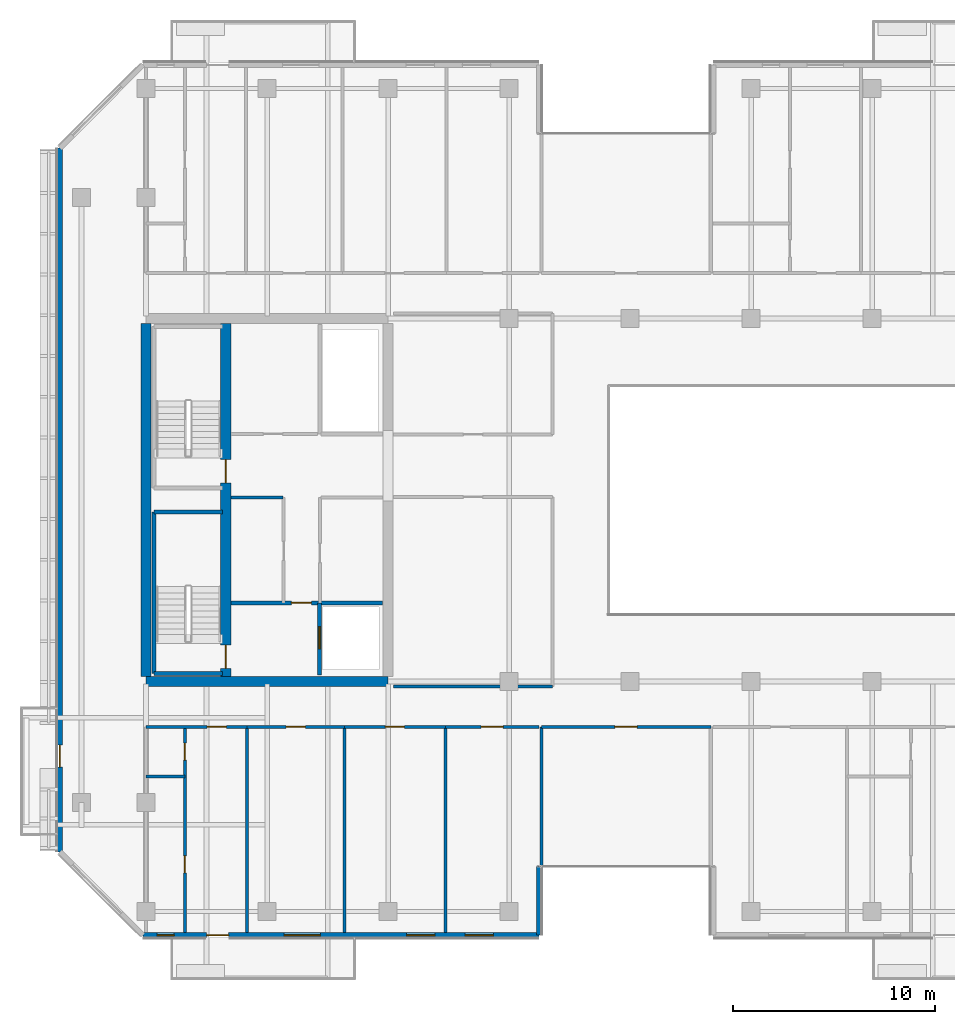
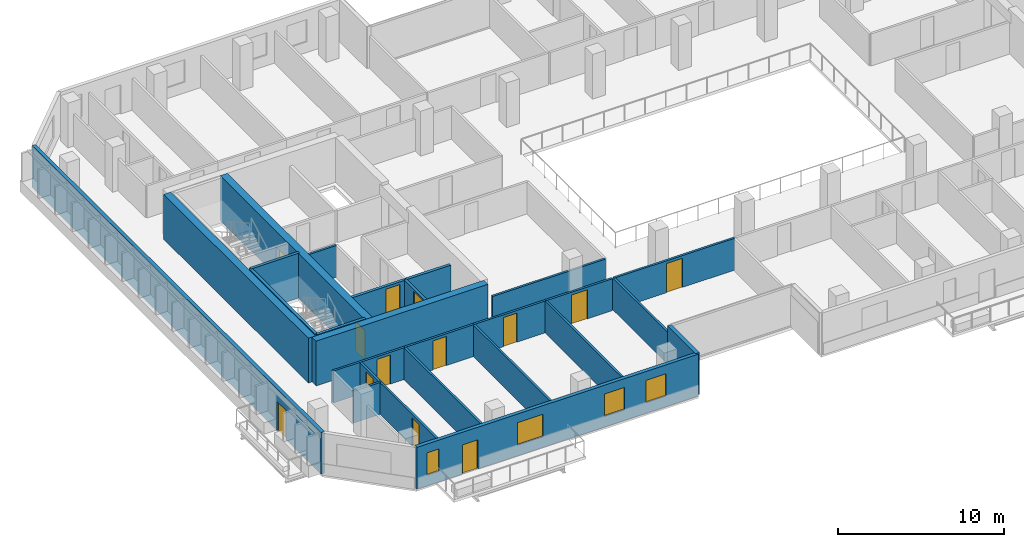
# One storey, part 9 of 19: 24 walls, 13 doors, 4 windows, 17 openings.
"""IFC4 building model written with IfcOpenShell, lengths in metres."""

from ifc_helpers import new_model, si_unit, direction, frame, frame_2d, origin, place, context, subcontext, project, spatial, rectangle, extrude, material, layer, layer_set, type_object, element, fill, save


model = new_model("IFC4")

# Units and contexts
model_context = context("Model", 3, precision=1e-05, world=origin(), true_north=direction((0.0, 1.0)))
body_context = subcontext(model_context, "Body", "Model", "MODEL_VIEW")
ifc_project = project(units=[si_unit("LENGTHUNIT", "METRE"), si_unit("AREAUNIT", "SQUARE_METRE"), si_unit("VOLUMEUNIT", "CUBIC_METRE"), si_unit("PLANEANGLEUNIT", "RADIAN"), si_unit("MASSUNIT", "GRAM", prefix="KILO")], contexts=[model_context])

# Site, building, storey
site_placement = place(None, origin())
site = spatial("IfcSite", under=ifc_project, at=site_placement, CompositionType="ELEMENT")
building_placement = place(site_placement, origin())
building = spatial("IfcBuilding", under=site, at=building_placement, Name="Tanjung Sevakor Pilgrim Tower", CompositionType="ELEMENT")
storey_placement = place(building_placement, frame((0.0, 0.0, 135.300048828125)))
storey = spatial("IfcBuildingStorey", under=building, at=storey_placement, Name="L37", CompositionType="ELEMENT", Elevation=135.300048828125)

# Walls
ifc_material_1 = material(Name="Concrete C60/75", Category="concrete")
ifc_layer_1 = layer(ifc_material_1, 0.5)
ifc_layer_set_1 = layer_set([ifc_layer_1], Name="WALL-CW-500")
wall_type_1 = type_object("IfcWallType", Name="WALL-CW-500", PredefinedType="SHEAR", material=ifc_layer_set_1)
wall_1_placement = place(storey_placement, frame((24.0, 24.60009765625, 0.0), z_axis=(0.0, 0.0, 1.0), x_axis=(1.0, 0.0, 0.0)))
element("IfcWall", 1, at=wall_1_placement, inside=storey, type_object=wall_type_1, Name="L37 W Core South Shear Wall", PredefinedType="SHEAR", context=body_context, shape_type="SweptSolid", body=[
    extrude(rectangle(XDim=12.0, YDim=0.5, at=frame_2d((6.0, 0.0))), origin(), (0.0, 0.0, 1.0), 3.300048828125),
])
wall_2_placement = place(storey_placement, frame((24.0, 24.85009765625, 0.0), z_axis=(0.0, 0.0, 1.0), x_axis=(0.0, 1.0, 0.0)))
element("IfcWall", 2, at=wall_2_placement, inside=storey, type_object=wall_type_1, Name="L37 W Core Outer Shear Wall", PredefinedType="SHEAR", context=body_context, shape_type="SweptSolid", body=[
    extrude(rectangle(XDim=17.5, YDim=0.5, at=frame_2d((8.75, 0.0))), origin(), (0.0, 0.0, 1.0), 3.300048828125),
])

# Wall, openings, doors
wall_3_placement = place(storey_placement, frame((27.949951171875, 24.85009765625, 0.0), z_axis=(0.0, 0.0, 1.0), x_axis=(0.0, 1.0, 0.0)))
wall_3 = element("IfcWall", 3, at=wall_3_placement, inside=storey, type_object=wall_type_1, Name="L37 W Core Stair Spine Wall", PredefinedType="SHEAR", context=body_context, shape_type="SweptSolid", body=[
    extrude(rectangle(XDim=17.5, YDim=0.5, at=frame_2d((8.75, 0.0))), origin(), (0.0, 0.0, 1.0), 3.300048828125),
])
opening_1_placement = place(wall_3_placement, frame((0.39990234375, 0.0, 0.0)))
opening_1 = element("IfcOpeningElement", 4, at=opening_1_placement, cuts=wall_3, Name="Opening ID-ST1", PredefinedType="OPENING", context=body_context, shape_type="SweptSolid", body=[
    extrude(rectangle(XDim=1.14990234375, YDim=2.14990234375, at=frame_2d((0.574951171875, 1.074951171875))), frame((0.0, 0.260009765625, 0.0), z_axis=(0.0, -1.0, 0.0), x_axis=(1.0, 0.0, 0.0)), (0.0, 0.0, 1.0), 0.52001953125),
])
opening_2_placement = place(wall_3_placement, frame((9.60009765625, 0.0, 0.0)))
opening_2 = element("IfcOpeningElement", 5, at=opening_2_placement, cuts=wall_3, Name="Opening ID-ST1", PredefinedType="OPENING", context=body_context, shape_type="SweptSolid", body=[
    extrude(rectangle(XDim=1.14990234375, YDim=2.14990234375, at=frame_2d((0.574951171875, 1.074951171875))), frame((0.0, 0.260009765625, 0.0), z_axis=(0.0, -1.0, 0.0), x_axis=(1.0, 0.0, 0.0)), (0.0, 0.0, 1.0), 0.52001953125),
])
ifc_material_2 = material(Name="Fire-Rated Steel S355J2", Category="steel")
door_type_1 = type_object("IfcDoorType", Name="DT-FIRE-1150", OperationType="NOTDEFINED", PredefinedType="DOOR", material=ifc_material_2)
door_1_placement = place(opening_1_placement, origin())
door_1 = element("IfcDoor", 6, at=door_1_placement, inside=storey, type_object=door_type_1, Name="L37 TS-W1 Stair Fire Door", OperationType="SINGLE_SWING_LEFT", OverallHeight=2.14990234375, OverallWidth=1.14990234375, PredefinedType="DOOR", context=body_context, shape_type="SweptSolid", body=[
    extrude(rectangle(XDim=1.14990234375, YDim=2.14990234375, at=frame_2d((0.574951171875, 1.074951171875))), frame((0.0, 0.02490234375, 0.0), z_axis=(0.0, -1.0, 0.0), x_axis=(1.0, 0.0, 0.0)), (0.0, 0.0, 1.0), 0.050048828125),
])
fill(opening_1, door_1)
door_2_placement = place(opening_2_placement, origin())
door_2 = element("IfcDoor", 7, at=door_2_placement, inside=storey, type_object=door_type_1, Name="L37 TS-W2 Stair Fire Door", OperationType="SINGLE_SWING_RIGHT", OverallHeight=2.14990234375, OverallWidth=1.14990234375, PredefinedType="DOOR", context=body_context, shape_type="SweptSolid", body=[
    extrude(rectangle(XDim=1.14990234375, YDim=2.14990234375, at=frame_2d((0.574951171875, 1.074951171875))), frame((0.0, 0.02490234375, 0.0), z_axis=(0.0, -1.0, 0.0), x_axis=(1.0, 0.0, 0.0)), (0.0, 0.0, 1.0), 0.050048828125),
])
fill(opening_2, door_2)

# Walls
ifc_material_3 = material(Name="Concrete C40/50", Category="concrete")
ifc_layer_2 = layer(ifc_material_3, 0.14990234375)
ifc_layer_set_2 = layer_set([ifc_layer_2], Name="WT-COMP-150")
wall_type_2 = type_object("IfcWallType", Name="WT-COMP-150", PredefinedType="SOLIDWALL", material=ifc_layer_set_2)
wall_4_placement = place(storey_placement, frame((28.219970703125, 33.719970703125, 0.0), z_axis=(0.0, 0.0, 1.0), x_axis=(1.0, 0.0, 0.0)))
element("IfcWall", 8, at=wall_4_placement, inside=storey, type_object=wall_type_2, Name="L37 Partition IW-L37-003", PredefinedType="SOLIDWALL", context=body_context, shape_type="SweptSolid", body=[
    extrude(rectangle(XDim=2.580078125, YDim=0.14990234375, at=frame_2d((1.2900390625, 0.0))), origin(), (0.0, 0.0, 1.0), 2.35009765625),
])
wall_5_placement = place(storey_placement, frame((36.27001953125, 24.35009765625, 0.0), z_axis=(0.0, 0.0, 1.0), x_axis=(1.0, 0.0, 0.0)))
element("IfcWall", 9, at=wall_5_placement, inside=storey, type_object=wall_type_2, Name="L37 Partition IW-L37-019", PredefinedType="SOLIDWALL", context=body_context, shape_type="SweptSolid", body=[
    extrude(rectangle(XDim=7.8798828125, YDim=0.14990234375, at=frame_2d((3.93994140625, 0.0))), origin(), (0.0, 0.0, 1.0), 2.35009765625),
])

# Wall, opening, door
wall_6_placement = place(storey_placement, frame((43.60009765625, 22.35009765625, 0.0), z_axis=(0.0, 0.0, 1.0), x_axis=(1.0, 0.0, 0.0)))
wall_6 = element("IfcWall", 10, at=wall_6_placement, inside=storey, type_object=wall_type_2, Name="L37 Partition IW-L37-031", PredefinedType="SOLIDWALL", context=body_context, shape_type="SweptSolid", body=[
    extrude(rectangle(XDim=8.39990234375, YDim=0.14990234375, at=frame_2d((4.199951171875, 0.0))), origin(), (0.0, 0.0, 1.0), 2.35009765625),
])
opening_3_placement = place(wall_6_placement, frame((3.64990234375, 0.0, 0.0)))
opening_3 = element("IfcOpeningElement", 11, at=opening_3_placement, cuts=wall_6, Name="Opening ID-RM2", PredefinedType="OPENING", context=body_context, shape_type="SweptSolid", body=[
    extrude(rectangle(XDim=1.10009765625, YDim=2.14990234375, at=frame_2d((0.550048828125, 1.074951171875))), frame((0.0, 0.0849609375, 0.0), z_axis=(0.0, -1.0, 0.0), x_axis=(1.0, 0.0, 0.0)), (0.0, 0.0, 1.0), 0.169921875),
])
ifc_material_4 = material(Name="Hardwood Timber", Category="wood")
door_type_2 = type_object("IfcDoorType", Name="DT-INT-1100", OperationType="NOTDEFINED", PredefinedType="DOOR", material=ifc_material_4)
door_3_placement = place(opening_3_placement, origin())
door_3 = element("IfcDoor", 12, at=door_3_placement, inside=storey, type_object=door_type_2, Name="L37 South Cleft Tea Sanctuary Door", OperationType="SINGLE_SWING_RIGHT", OverallHeight=2.14990234375, OverallWidth=1.10009765625, PredefinedType="DOOR", context=body_context, shape_type="SweptSolid", body=[
    extrude(rectangle(XDim=1.10009765625, YDim=2.14990234375, at=frame_2d((0.550048828125, 1.074951171875))), frame((0.0, 0.02490234375, 0.0), z_axis=(0.0, -1.0, 0.0), x_axis=(1.0, 0.0, 0.0)), (0.0, 0.0, 1.0), 0.050048828125),
])
fill(opening_3, door_3)

# Walls
for number, where, z_axis, x_axis, name in (
    (13, (43.60009765625, 12.14990234375, 0.0), (0.0, 0.0, 1.0), (0.0, 1.0, 0.0), "L37 Partition IW-L37-032"),
    (14, (29.009033203125, 12.14990234375, 0.0), (0.0, 0.0, 1.0), (0.0, 1.0, 0.0), "L37 Partition IW-L37-038"),
):
    element("IfcWall", number, at=place(storey_placement, frame(where, z_axis=z_axis, x_axis=x_axis)), inside=storey, type_object=wall_type_2, Name=name, PredefinedType="SOLIDWALL", context=body_context, shape_type="SweptSolid", body=[
        extrude(rectangle(XDim=10.2001953125, YDim=0.14990234375, at=frame_2d((5.10009765625, 0.0))), origin(), (0.0, 0.0, 1.0), 2.35009765625),
    ])

# Wall, opening, door
wall_7_placement = place(storey_placement, frame((24.0, 22.35009765625, 0.0), z_axis=(0.0, 0.0, 1.0), x_axis=(1.0, 0.0, 0.0)))
wall_7 = element("IfcWall", 15, at=wall_7_placement, inside=storey, type_object=wall_type_2, Name="L37 Partition IW-L37-041", PredefinedType="SOLIDWALL", context=body_context, shape_type="SweptSolid", body=[
    extrude(rectangle(XDim=5.009033203125, YDim=0.14990234375, at=frame_2d((2.50439453125, 0.0))), origin(), (0.0, 0.0, 1.0), 2.35009765625),
])
opening_4_placement = place(wall_7_placement, frame((3.029541015625, 0.0, 0.0)))
opening_4 = element("IfcOpeningElement", 16, at=opening_4_placement, cuts=wall_7, Name="Opening ID-FD2", PredefinedType="OPENING", context=body_context, shape_type="SweptSolid", body=[
    extrude(rectangle(XDim=0.949951171875, YDim=2.14990234375, at=frame_2d((0.47509765625, 1.074951171875))), frame((0.0, 0.0849609375, 0.0), z_axis=(0.0, -1.0, 0.0), x_axis=(1.0, 0.0, 0.0)), (0.0, 0.0, 1.0), 0.169921875),
])
ifc_material_5 = material(Name="Fire-Rated Timber", Category="wood")
door_type_3 = type_object("IfcDoorType", Name="DT-FIRE-950", OperationType="NOTDEFINED", PredefinedType="DOOR", material=ifc_material_5)
door_4_placement = place(opening_4_placement, origin())
door_4 = element("IfcDoor", 17, at=door_4_placement, inside=storey, type_object=door_type_3, Name="Hostel Quad Entrance", OperationType="SINGLE_SWING_RIGHT", OverallHeight=2.14990234375, OverallWidth=0.949951171875, PredefinedType="DOOR", context=body_context, shape_type="SweptSolid", body=[
    extrude(rectangle(XDim=0.949951171875, YDim=2.14990234375, at=frame_2d((0.47509765625, 1.074951171875))), frame((0.0, 0.02490234375, 0.0), z_axis=(0.0, -1.0, 0.0), x_axis=(1.0, 0.0, 0.0)), (0.0, 0.0, 1.0), 0.050048828125),
])
fill(opening_4, door_4)

# Wall
wall_8_placement = place(storey_placement, frame((33.832763671875, 12.14990234375, 0.0), z_axis=(0.0, 0.0, 1.0), x_axis=(0.0, 1.0, 0.0)))
element("IfcWall", 18, at=wall_8_placement, inside=storey, type_object=wall_type_2, Name="L37 Partition IW-L37-042", PredefinedType="SOLIDWALL", context=body_context, shape_type="SweptSolid", body=[
    extrude(rectangle(XDim=10.2001953125, YDim=0.14990234375, at=frame_2d((5.10009765625, 0.0))), origin(), (0.0, 0.0, 1.0), 2.35009765625),
])

# Wall, opening, door
wall_9_placement = place(storey_placement, frame((29.009033203125, 22.35009765625, 0.0), z_axis=(0.0, 0.0, 1.0), x_axis=(1.0, 0.0, 0.0)))
wall_9 = element("IfcWall", 19, at=wall_9_placement, inside=storey, type_object=wall_type_2, Name="L37 Partition IW-L37-043", PredefinedType="SOLIDWALL", context=body_context, shape_type="SweptSolid", body=[
    extrude(rectangle(XDim=4.82373046875, YDim=0.14990234375, at=frame_2d((2.411865234375, 0.0))), origin(), (0.0, 0.0, 1.0), 2.35009765625),
])
opening_5_placement = place(wall_9_placement, frame((1.936767578125, 0.0, 0.0)))
opening_5 = element("IfcOpeningElement", 20, at=opening_5_placement, cuts=wall_9, Name="Opening ID-FD2", PredefinedType="OPENING", context=body_context, shape_type="SweptSolid", body=[
    extrude(rectangle(XDim=0.949951171875, YDim=2.14990234375, at=frame_2d((0.47509765625, 1.074951171875))), frame((0.0, 0.0849609375, 0.0), z_axis=(0.0, -1.0, 0.0), x_axis=(1.0, 0.0, 0.0)), (0.0, 0.0, 1.0), 0.169921875),
])
door_5_placement = place(opening_5_placement, origin())
door_5 = element("IfcDoor", 21, at=door_5_placement, inside=storey, type_object=door_type_3, Name="Study Room Entrance", OperationType="SINGLE_SWING_LEFT", OverallHeight=2.14990234375, OverallWidth=0.949951171875, PredefinedType="DOOR", context=body_context, shape_type="SweptSolid", body=[
    extrude(rectangle(XDim=0.949951171875, YDim=2.14990234375, at=frame_2d((0.47509765625, 1.074951171875))), frame((0.0, 0.02490234375, 0.0), z_axis=(0.0, -1.0, 0.0), x_axis=(1.0, 0.0, 0.0)), (0.0, 0.0, 1.0), 0.050048828125),
])
fill(opening_5, door_5)

# Wall
wall_10_placement = place(storey_placement, frame((38.841796875, 12.14990234375, 0.0), z_axis=(0.0, 0.0, 1.0), x_axis=(0.0, 1.0, 0.0)))
element("IfcWall", 22, at=wall_10_placement, inside=storey, type_object=wall_type_2, Name="L37 Partition IW-L37-044", PredefinedType="SOLIDWALL", context=body_context, shape_type="SweptSolid", body=[
    extrude(rectangle(XDim=10.2001953125, YDim=0.14990234375, at=frame_2d((5.10009765625, 0.0))), origin(), (0.0, 0.0, 1.0), 2.35009765625),
])

# Wall, opening, door
wall_11_placement = place(storey_placement, frame((33.832763671875, 22.35009765625, 0.0), z_axis=(0.0, 0.0, 1.0), x_axis=(1.0, 0.0, 0.0)))
wall_11 = element("IfcWall", 23, at=wall_11_placement, inside=storey, type_object=wall_type_2, Name="L37 Partition IW-L37-045", PredefinedType="SOLIDWALL", context=body_context, shape_type="SweptSolid", body=[
    extrude(rectangle(XDim=5.009033203125, YDim=0.14990234375, at=frame_2d((2.50439453125, 0.0))), origin(), (0.0, 0.0, 1.0), 2.35009765625),
])
opening_6_placement = place(wall_11_placement, frame((2.029541015625, 0.0, 0.0)))
opening_6 = element("IfcOpeningElement", 24, at=opening_6_placement, cuts=wall_11, Name="Opening ID-FD2", PredefinedType="OPENING", context=body_context, shape_type="SweptSolid", body=[
    extrude(rectangle(XDim=0.949951171875, YDim=2.14990234375, at=frame_2d((0.47509765625, 1.074951171875))), frame((0.0, 0.0849609375, 0.0), z_axis=(0.0, -1.0, 0.0), x_axis=(1.0, 0.0, 0.0)), (0.0, 0.0, 1.0), 0.169921875),
])
door_6_placement = place(opening_6_placement, origin())
door_6 = element("IfcDoor", 25, at=door_6_placement, inside=storey, type_object=door_type_3, Name="Study Room Entrance", OperationType="SINGLE_SWING_RIGHT", OverallHeight=2.14990234375, OverallWidth=0.949951171875, PredefinedType="DOOR", context=body_context, shape_type="SweptSolid", body=[
    extrude(rectangle(XDim=0.949951171875, YDim=2.14990234375, at=frame_2d((0.47509765625, 1.074951171875))), frame((0.0, 0.02490234375, 0.0), z_axis=(0.0, -1.0, 0.0), x_axis=(1.0, 0.0, 0.0)), (0.0, 0.0, 1.0), 0.050048828125),
])
fill(opening_6, door_6)

wall_12_placement = place(storey_placement, frame((38.841796875, 22.35009765625, 0.0), z_axis=(0.0, 0.0, 1.0), x_axis=(1.0, 0.0, 0.0)))
wall_12 = element("IfcWall", 26, at=wall_12_placement, inside=storey, type_object=wall_type_2, Name="L37 Partition IW-L37-046", PredefinedType="SOLIDWALL", context=body_context, shape_type="SweptSolid", body=[
    extrude(rectangle(XDim=4.63818359375, YDim=0.14990234375, at=frame_2d((2.319091796875, 0.0))), origin(), (0.0, 0.0, 1.0), 2.35009765625),
])
opening_7_placement = place(wall_12_placement, frame((1.76904296875, 0.0, 0.0)))
opening_7 = element("IfcOpeningElement", 27, at=opening_7_placement, cuts=wall_12, Name="Opening ID-FD0", PredefinedType="OPENING", context=body_context, shape_type="SweptSolid", body=[
    extrude(rectangle(XDim=1.10009765625, YDim=2.14990234375, at=frame_2d((0.550048828125, 1.074951171875))), frame((0.0, 0.0849609375, 0.0), z_axis=(0.0, -1.0, 0.0), x_axis=(1.0, 0.0, 0.0)), (0.0, 0.0, 1.0), 0.169921875),
])
ifc_material_6 = material(Name="Fire-Rated Steel S355J2", Category="steel")
door_type_4 = type_object("IfcDoorType", Name="DT-FIRE-1100", OperationType="NOTDEFINED", PredefinedType="DOOR", material=ifc_material_6)
door_7_placement = place(opening_7_placement, origin())
door_7 = element("IfcDoor", 28, at=door_7_placement, inside=storey, type_object=door_type_4, Name="Communal Lounge Door", OperationType="SINGLE_SWING_LEFT", OverallHeight=2.14990234375, OverallWidth=1.10009765625, PredefinedType="DOOR", context=body_context, shape_type="SweptSolid", body=[
    extrude(rectangle(XDim=1.10009765625, YDim=2.14990234375, at=frame_2d((0.550048828125, 1.074951171875))), frame((0.0, 0.02490234375, 0.0), z_axis=(0.0, -1.0, 0.0), x_axis=(1.0, 0.0, 0.0)), (0.0, 0.0, 1.0), 0.050048828125),
])
fill(opening_7, door_7)

# Wall, openings, door, windows
ifc_material_7 = material(Name="Precast concrete C45/55", Category="concrete")
ifc_layer_3 = layer(ifc_material_7, 0.25)
ifc_layer_set_3 = layer_set([ifc_layer_3], Name="WT-EW-STN3")
wall_type_3 = type_object("IfcWallType", Name="WT-EW-STN3", PredefinedType="SOLIDWALL", material=ifc_layer_set_3)
wall_13_placement = place(storey_placement, frame((23.851806640625, 12.02490234375, 0.0), z_axis=(0.0, 0.0, 1.0), x_axis=(1.0, 0.0, 0.0)))
wall_13 = element("IfcWall", 29, at=wall_13_placement, inside=storey, type_object=wall_type_3, Name="L37 MAIN Exterior Wall 1", PredefinedType="SOLIDWALL", context=body_context, shape_type="SweptSolid", body=[
    extrude(rectangle(XDim=19.623291015625, YDim=0.25, at=frame_2d((9.8115234375, 0.0))), origin(), (0.0, 0.0, 1.0), 3.080078125),
])
opening_8_placement = place(wall_13_placement, frame((3.148193359375, 0.0, 0.0)))
opening_8 = element("IfcOpeningElement", 30, at=opening_8_placement, cuts=wall_13, Name="Opening ED-BAL-1100", PredefinedType="OPENING", context=body_context, shape_type="SweptSolid", body=[
    extrude(rectangle(XDim=1.10009765625, YDim=2.14990234375, at=frame_2d((0.550048828125, 1.074951171875))), frame((0.0, 0.135009765625, 0.0), z_axis=(0.0, -1.0, 0.0), x_axis=(1.0, 0.0, 0.0)), (0.0, 0.0, 1.0), 0.27001953125),
])
opening_9_placement = place(wall_13_placement, frame((0.693115234375, 0.0, 0.780029296875)))
opening_9 = element("IfcOpeningElement", 31, at=opening_9_placement, cuts=wall_13, Name="Opening WN-SLM", PredefinedType="OPENING", context=body_context, shape_type="SweptSolid", body=[
    extrude(rectangle(XDim=0.85009765625, YDim=1.64990234375, at=frame_2d((0.425048828125, 0.824951171875))), frame((0.0, 0.135009765625, 0.0), z_axis=(0.0, -1.0, 0.0), x_axis=(1.0, 0.0, 0.0)), (0.0, 0.0, 1.0), 0.27001953125),
])
opening_10_placement = place(wall_13_placement, frame((6.989013671875, 0.0, 0.780029296875)))
opening_10 = element("IfcOpeningElement", 32, at=opening_10_placement, cuts=wall_13, Name="Opening WN-Z3-1660", PredefinedType="OPENING", context=body_context, shape_type="SweptSolid", body=[
    extrude(rectangle(XDim=1.800048828125, YDim=1.659912109375, at=frame_2d((0.89990234375, 0.830078125))), frame((0.0, 0.135009765625, 0.0), z_axis=(0.0, -1.0, 0.0), x_axis=(1.0, 0.0, 0.0)), (0.0, 0.0, 1.0), 0.27001953125),
])
opening_11_placement = place(wall_13_placement, frame((13.0654296875, 0.0, 0.780029296875)))
opening_11 = element("IfcOpeningElement", 33, at=opening_11_placement, cuts=wall_13, Name="Opening WN-END", PredefinedType="OPENING", context=body_context, shape_type="SweptSolid", body=[
    extrude(rectangle(XDim=1.39990234375, YDim=1.64990234375, at=frame_2d((0.699951171875, 0.824951171875))), frame((0.0, 0.135009765625, 0.0), z_axis=(0.0, -1.0, 0.0), x_axis=(1.0, 0.0, 0.0)), (0.0, 0.0, 1.0), 0.27001953125),
])
opening_12_placement = place(wall_13_placement, frame((15.968994140625, 0.0, 0.780029296875)))
opening_12 = element("IfcOpeningElement", 34, at=opening_12_placement, cuts=wall_13, Name="Opening WN-END", PredefinedType="OPENING", context=body_context, shape_type="SweptSolid", body=[
    extrude(rectangle(XDim=1.39990234375, YDim=1.64990234375, at=frame_2d((0.699951171875, 0.824951171875))), frame((0.0, 0.135009765625, 0.0), z_axis=(0.0, -1.0, 0.0), x_axis=(1.0, 0.0, 0.0)), (0.0, 0.0, 1.0), 0.27001953125),
])
ifc_material_8 = material(Name="Anodised Aluminium and Laminated Glass", Category="aluminium")
door_type_5 = type_object("IfcDoorType", Name="DTYP-ED-BAL-1100", OperationType="NOTDEFINED", PredefinedType="DOOR", material=ifc_material_8)
door_8_placement = place(opening_8_placement, frame((1.10009765625, 0.0, 0.0), z_axis=(0.0, 0.0, 1.0), x_axis=(-1.0, 0.0, 0.0)))
door_8 = element("IfcDoor", 35, at=door_8_placement, inside=storey, type_object=door_type_5, Name="L37 Balcony Door MAIN-S1", OperationType="SINGLE_SWING_RIGHT", OverallHeight=2.14990234375, OverallWidth=1.10009765625, PredefinedType="DOOR", context=body_context, shape_type="SweptSolid", body=[
    extrude(rectangle(XDim=1.10009765625, YDim=2.14990234375, at=frame_2d((0.550048828125, 1.074951171875))), frame((0.0, 0.02490234375, 0.0), z_axis=(0.0, -1.0, 0.0), x_axis=(1.0, 0.0, 0.0)), (0.0, 0.0, 1.0), 0.050048828125),
])
fill(opening_8, door_8)
ifc_material_9 = material(Name="Thermally Broken Aluminium and Low-E Glass", Category="aluminium")
window_type_1 = type_object("IfcWindowType", Name="WTYP-WN-END", PartitioningType="SINGLE_PANEL", PredefinedType="WINDOW", material=ifc_material_9)
window_1_placement = place(opening_11_placement, origin())
window_1 = element("IfcWindow", 36, at=window_1_placement, inside=storey, type_object=window_type_1, Name="L37 Facade Window 03", OverallHeight=1.64990234375, OverallWidth=1.39990234375, PartitioningType="SINGLE_PANEL", PredefinedType="WINDOW", context=body_context, shape_type="SweptSolid", body=[
    extrude(rectangle(XDim=1.39990234375, YDim=1.64990234375, at=frame_2d((0.699951171875, 0.824951171875))), frame((0.0, 0.030029296875, 0.0), z_axis=(0.0, -1.0, 0.0), x_axis=(1.0, 0.0, 0.0)), (0.0, 0.0, 1.0), 0.06005859375),
])
fill(opening_11, window_1)
window_2_placement = place(opening_12_placement, origin())
window_2 = element("IfcWindow", 37, at=window_2_placement, inside=storey, type_object=window_type_1, Name="L37 Facade Window 04", OverallHeight=1.64990234375, OverallWidth=1.39990234375, PartitioningType="SINGLE_PANEL", PredefinedType="WINDOW", context=body_context, shape_type="SweptSolid", body=[
    extrude(rectangle(XDim=1.39990234375, YDim=1.64990234375, at=frame_2d((0.699951171875, 0.824951171875))), frame((0.0, 0.030029296875, 0.0), z_axis=(0.0, -1.0, 0.0), x_axis=(1.0, 0.0, 0.0)), (0.0, 0.0, 1.0), 0.06005859375),
])
fill(opening_12, window_2)
ifc_material_10 = material(Name="Thermally Broken Aluminium and Low-E Glass", Category="aluminium")
window_type_2 = type_object("IfcWindowType", Name="WTYP-WN-SLM", PartitioningType="SINGLE_PANEL", PredefinedType="WINDOW", material=ifc_material_10)
window_3_placement = place(opening_9_placement, origin())
window_3 = element("IfcWindow", 38, at=window_3_placement, inside=storey, type_object=window_type_2, Name="L37 Facade Window 01", OverallHeight=1.64990234375, OverallWidth=0.85009765625, PartitioningType="SINGLE_PANEL", PredefinedType="WINDOW", context=body_context, shape_type="SweptSolid", body=[
    extrude(rectangle(XDim=0.85009765625, YDim=1.64990234375, at=frame_2d((0.425048828125, 0.824951171875))), frame((0.0, 0.030029296875, 0.0), z_axis=(0.0, -1.0, 0.0), x_axis=(1.0, 0.0, 0.0)), (0.0, 0.0, 1.0), 0.06005859375),
])
fill(opening_9, window_3)
ifc_material_11 = material(Name="Thermally Broken Aluminium and Low-E Glass", Category="aluminium")
window_type_3 = type_object("IfcWindowType", Name="WTYP-WN-Z3-1660", PartitioningType="DOUBLE_PANEL_VERTICAL", PredefinedType="WINDOW", material=ifc_material_11)
window_4_placement = place(opening_10_placement, origin())
window_4 = element("IfcWindow", 39, at=window_4_placement, inside=storey, type_object=window_type_3, Name="L37 Facade Window 02", OverallHeight=1.659912109375, OverallWidth=1.800048828125, PartitioningType="SINGLE_PANEL", PredefinedType="WINDOW", context=body_context, shape_type="SweptSolid", body=[
    extrude(rectangle(XDim=1.800048828125, YDim=1.659912109375, at=frame_2d((0.89990234375, 0.830078125))), frame((0.0, 0.030029296875, 0.0), z_axis=(0.0, -1.0, 0.0), x_axis=(1.0, 0.0, 0.0)), (0.0, 0.0, 1.0), 0.06005859375),
])
fill(opening_10, window_4)

# Wall
wall_14_placement = place(storey_placement, frame((43.47509765625, 12.02490234375, 0.0), z_axis=(0.0, 0.0, 1.0), x_axis=(0.0, 1.0, 0.0)))
element("IfcWall", 40, at=wall_14_placement, inside=storey, type_object=wall_type_3, Name="L37 MAIN Exterior Wall 2", PredefinedType="SOLIDWALL", context=body_context, shape_type="SweptSolid", body=[
    extrude(rectangle(XDim=3.400146484375, YDim=0.25, at=frame_2d((1.7001953125, 0.0))), origin(), (0.0, 0.0, 1.0), 3.080078125),
])

# Wall, opening, door
wall_15_placement = place(storey_placement, frame((19.72509765625, 51.048095703125, 0.0), z_axis=(0.0, 0.0, 1.0), x_axis=(0.0, -1.0, 0.0)))
wall_15 = element("IfcWall", 41, at=wall_15_placement, inside=storey, type_object=wall_type_3, Name="L37 MAIN Exterior Wall 15", PredefinedType="SOLIDWALL", context=body_context, shape_type="SweptSolid", body=[
    extrude(rectangle(XDim=34.896240234375, YDim=0.25, at=frame_2d((17.4482421875, 0.0))), origin(), (0.0, 0.0, 1.0), 3.080078125),
])
opening_13_placement = place(wall_15_placement, frame((29.59814453125, 0.0, 0.0)))
opening_13 = element("IfcOpeningElement", 42, at=opening_13_placement, cuts=wall_15, Name="Opening ED-BAL-1100", PredefinedType="OPENING", context=body_context, shape_type="SweptSolid", body=[
    extrude(rectangle(XDim=1.10009765625, YDim=2.14990234375, at=frame_2d((0.550048828125, 1.074951171875))), frame((0.0, 0.135009765625, 0.0), z_axis=(0.0, -1.0, 0.0), x_axis=(1.0, 0.0, 0.0)), (0.0, 0.0, 1.0), 0.27001953125),
])
door_9_placement = place(opening_13_placement, frame((1.10009765625, 0.0, 0.0), z_axis=(0.0, 0.0, 1.0), x_axis=(-1.0, 0.0, 0.0)))
door_9 = element("IfcDoor", 43, at=door_9_placement, inside=storey, type_object=door_type_5, Name="L37 West Loggia Door MAIN-W1", OperationType="SINGLE_SWING_LEFT", OverallHeight=2.14990234375, OverallWidth=1.10009765625, PredefinedType="DOOR", context=body_context, shape_type="SweptSolid", body=[
    extrude(rectangle(XDim=1.10009765625, YDim=2.14990234375, at=frame_2d((0.550048828125, 1.074951171875))), frame((0.0, 0.02490234375, 0.0), z_axis=(0.0, -1.0, 0.0), x_axis=(1.0, 0.0, 0.0)), (0.0, 0.0, 1.0), 0.050048828125),
])
fill(opening_13, door_9)

# Walls
ifc_material_12 = material(Name="Concrete C40/50", Category="concrete")
ifc_layer_4 = layer(ifc_material_12, 0.199951171875)
ifc_layer_set_4 = layer_set([ifc_layer_4], Name="WT-FIRE-200")
wall_type_4 = type_object("IfcWallType", Name="WT-FIRE-200", PredefinedType="SOLIDWALL", material=ifc_layer_set_4)
for number, where, z_axis, x_axis, name in (
    (44, (24.39990234375, 25.0, 0.0), (0.0, 0.0, 1.0), (1.0, 0.0, 0.0), "L37 TS-W1 Shaft Wall 1"),
    (45, (27.800048828125, 33.0, 0.0), (0.0, 0.0, 1.0), (-1.0, 0.0, 0.0), "L37 TS-W1 Shaft Wall 2"),
):
    element("IfcWall", number, at=place(storey_placement, frame(where, z_axis=z_axis, x_axis=x_axis)), inside=storey, type_object=wall_type_4, Name=name, PredefinedType="SOLIDWALL", context=body_context, shape_type="SweptSolid", body=[
        extrude(rectangle(XDim=3.400146484375, YDim=0.199951171875, at=frame_2d((1.7001953125, 0.0))), origin(), (0.0, 0.0, 1.0), 3.300048828125),
    ])
wall_16_placement = place(storey_placement, frame((24.39990234375, 33.0, 0.0), z_axis=(0.0, 0.0, 1.0), x_axis=(0.0, -1.0, 0.0)))
element("IfcWall", 46, at=wall_16_placement, inside=storey, type_object=wall_type_4, Name="L37 TS-W1 Shaft Wall 3", PredefinedType="SOLIDWALL", context=body_context, shape_type="SweptSolid", body=[
    extrude(rectangle(XDim=8.0, YDim=0.199951171875, at=frame_2d((4.0, 0.0))), origin(), (0.0, 0.0, 1.0), 3.300048828125),
])

# Wall, opening, door
ifc_material_13 = material(Name="Concrete C40/50", Category="concrete")
ifc_layer_5 = layer(ifc_material_13, 0.199951171875)
ifc_layer_set_5 = layer_set([ifc_layer_5], Name="WT-FPRT-200")
wall_type_5 = type_object("IfcWallType", Name="WT-FPRT-200", PredefinedType="SOLIDWALL", material=ifc_layer_set_5)
wall_17_placement = place(storey_placement, frame((32.60009765625, 24.919921875, 0.0), z_axis=(0.0, 0.0, 1.0), x_axis=(0.0, 1.0, 0.0)))
wall_17 = element("IfcWall", 47, at=wall_17_placement, inside=storey, type_object=wall_type_5, Name="L37 Partition IW-L37-001", PredefinedType="SOLIDWALL", context=body_context, shape_type="SweptSolid", body=[
    extrude(rectangle(XDim=3.580078125, YDim=0.199951171875, at=frame_2d((1.7900390625, 0.0))), origin(), (0.0, 0.0, 1.0), 2.35009765625),
])
opening_14_placement = place(wall_17_placement, frame((1.300048828125, 0.0, 0.0)))
opening_14 = element("IfcOpeningElement", 48, at=opening_14_placement, cuts=wall_17, Name="Opening LD-1100", PredefinedType="OPENING", context=body_context, shape_type="SweptSolid", body=[
    extrude(rectangle(XDim=1.10009765625, YDim=2.199951171875, at=frame_2d((0.550048828125, 1.10009765625))), frame((0.0, 0.10986328125, 0.0), z_axis=(0.0, -1.0, 0.0), x_axis=(1.0, 0.0, 0.0)), (0.0, 0.0, 1.0), 0.219970703125),
])
ifc_material_14 = material(Name="Brushed Stainless Steel S355J2", Category="steel")
door_type_6 = type_object("IfcDoorType", Name="DT-LIFT-1100", OperationType="SLIDING_TO_LEFT", PredefinedType="DOOR", material=ifc_material_14)
door_10_placement = place(opening_14_placement, origin())
door_10 = element("IfcDoor", 49, at=door_10_placement, inside=storey, type_object=door_type_6, Name="LD-FL-W", OperationType="SLIDING_TO_LEFT", OverallHeight=2.199951171875, OverallWidth=1.10009765625, PredefinedType="DOOR", context=body_context, shape_type="SweptSolid", body=[
    extrude(rectangle(XDim=1.10009765625, YDim=2.199951171875, at=frame_2d((0.550048828125, 1.10009765625))), frame((0.0, 0.02490234375, 0.0), z_axis=(0.0, -1.0, 0.0), x_axis=(1.0, 0.0, 0.0)), (0.0, 0.0, 1.0), 0.050048828125),
])
fill(opening_14, door_10)

wall_18_placement = place(storey_placement, frame((28.219970703125, 28.5, 0.0), z_axis=(0.0, 0.0, 1.0), x_axis=(1.0, 0.0, 0.0)))
wall_18 = element("IfcWall", 50, at=wall_18_placement, inside=storey, type_object=wall_type_5, Name="L37 Partition IW-L37-002", PredefinedType="SOLIDWALL", context=body_context, shape_type="SweptSolid", body=[
    extrude(rectangle(XDim=7.510009765625, YDim=0.199951171875, at=frame_2d((3.7548828125, 0.0))), origin(), (0.0, 0.0, 1.0), 2.35009765625),
])
opening_15_placement = place(wall_18_placement, frame((2.97998046875, 0.0, 0.0)))
opening_15 = element("IfcOpeningElement", 51, at=opening_15_placement, cuts=wall_18, Name="Opening ID-FD1", PredefinedType="OPENING", context=body_context, shape_type="SweptSolid", body=[
    extrude(rectangle(XDim=1.0, YDim=2.14990234375, at=frame_2d((0.5, 1.074951171875))), frame((0.0, 0.10986328125, 0.0), z_axis=(0.0, -1.0, 0.0), x_axis=(1.0, 0.0, 0.0)), (0.0, 0.0, 1.0), 0.219970703125),
])
ifc_material_15 = material(Name="Fire-Rated Steel S355J2", Category="steel")
door_type_7 = type_object("IfcDoorType", Name="DT-FIRE-1000", OperationType="NOTDEFINED", PredefinedType="DOOR", material=ifc_material_15)
door_11_placement = place(opening_15_placement, origin())
door_11 = element("IfcDoor", 52, at=door_11_placement, inside=storey, type_object=door_type_7, Name="Fire Lobby Door W", OperationType="SINGLE_SWING_LEFT", OverallHeight=2.14990234375, OverallWidth=1.0, PredefinedType="DOOR", context=body_context, shape_type="SweptSolid", body=[
    extrude(rectangle(XDim=1.0, YDim=2.14990234375, at=frame_2d((0.5, 1.074951171875))), frame((0.0, 0.02490234375, 0.0), z_axis=(0.0, -1.0, 0.0), x_axis=(1.0, 0.0, 0.0)), (0.0, 0.0, 1.0), 0.050048828125),
])
fill(opening_15, door_11)

# Wall
ifc_material_16 = material(Name="Gypsum Board Partition", Category="gypsum board")
ifc_layer_6 = layer(ifc_material_16, 0.14990234375)
ifc_layer_set_6 = layer_set([ifc_layer_6], Name="WT-PART-150")
wall_type_6 = type_object("IfcWallType", Name="WT-PART-150", PredefinedType="PARTITIONING", material=ifc_layer_set_6)
wall_19_placement = place(storey_placement, frame((24.0, 19.89990234375, 0.0), z_axis=(0.0, 0.0, 1.0), x_axis=(1.0, 0.0, 0.0)))
element("IfcWall", 53, at=wall_19_placement, inside=storey, type_object=wall_type_6, Name="L37 Partition IW-L37-039", PredefinedType="PARTITIONING", context=body_context, shape_type="SweptSolid", body=[
    extrude(rectangle(XDim=1.919921875, YDim=0.14990234375, at=frame_2d((0.9599609375, 0.0))), origin(), (0.0, 0.0, 1.0), 2.35009765625),
])

# Wall, openings, doors
wall_20_placement = place(storey_placement, frame((25.919921875, 12.14990234375, 0.0), z_axis=(0.0, 0.0, 1.0), x_axis=(0.0, 1.0, 0.0)))
wall_20 = element("IfcWall", 54, at=wall_20_placement, inside=storey, type_object=wall_type_6, Name="L37 Partition IW-L37-040", PredefinedType="PARTITIONING", context=body_context, shape_type="SweptSolid", body=[
    extrude(rectangle(XDim=10.2001953125, YDim=0.14990234375, at=frame_2d((5.10009765625, 0.0))), origin(), (0.0, 0.0, 1.0), 2.35009765625),
])
opening_16_placement = place(wall_20_placement, frame((2.9599609375, 0.0, 0.0)))
opening_16 = element("IfcOpeningElement", 55, at=opening_16_placement, cuts=wall_20, Name="Opening ID-WC1", PredefinedType="OPENING", context=body_context, shape_type="SweptSolid", body=[
    extrude(rectangle(XDim=0.85009765625, YDim=2.10009765625, at=frame_2d((0.425048828125, 1.050048828125))), frame((0.0, 0.0849609375, 0.0), z_axis=(0.0, -1.0, 0.0), x_axis=(1.0, 0.0, 0.0)), (0.0, 0.0, 1.0), 0.169921875),
])
opening_17_placement = place(wall_20_placement, frame((8.550048828125, 0.0, 0.0)))
opening_17 = element("IfcOpeningElement", 56, at=opening_17_placement, cuts=wall_20, Name="Opening ID-WC1", PredefinedType="OPENING", context=body_context, shape_type="SweptSolid", body=[
    extrude(rectangle(XDim=0.85009765625, YDim=2.10009765625, at=frame_2d((0.425048828125, 1.050048828125))), frame((0.0, 0.0849609375, 0.0), z_axis=(0.0, -1.0, 0.0), x_axis=(1.0, 0.0, 0.0)), (0.0, 0.0, 1.0), 0.169921875),
])
ifc_material_17 = material(Name="Moisture-Resistant Timber", Category="wood")
door_type_8 = type_object("IfcDoorType", Name="DT-INT-850", OperationType="NOTDEFINED", PredefinedType="DOOR", material=ifc_material_17)
door_12_placement = place(opening_16_placement, origin())
door_12 = element("IfcDoor", 57, at=door_12_placement, inside=storey, type_object=door_type_8, Name="Study Nook Door", OperationType="SINGLE_SWING_RIGHT", OverallHeight=2.10009765625, OverallWidth=0.85009765625, PredefinedType="DOOR", context=body_context, shape_type="SweptSolid", body=[
    extrude(rectangle(XDim=0.85009765625, YDim=2.10009765625, at=frame_2d((0.425048828125, 1.050048828125))), frame((0.0, 0.02490234375, 0.0), z_axis=(0.0, -1.0, 0.0), x_axis=(1.0, 0.0, 0.0)), (0.0, 0.0, 1.0), 0.050048828125),
])
fill(opening_16, door_12)
door_13_placement = place(opening_17_placement, origin())
door_13 = element("IfcDoor", 58, at=door_13_placement, inside=storey, type_object=door_type_8, Name="Bathroom Door", OperationType="SINGLE_SWING_LEFT", OverallHeight=2.10009765625, OverallWidth=0.85009765625, PredefinedType="DOOR", context=body_context, shape_type="SweptSolid", body=[
    extrude(rectangle(XDim=0.85009765625, YDim=2.10009765625, at=frame_2d((0.425048828125, 1.050048828125))), frame((0.0, 0.02490234375, 0.0), z_axis=(0.0, -1.0, 0.0), x_axis=(1.0, 0.0, 0.0)), (0.0, 0.0, 1.0), 0.050048828125),
])
fill(opening_17, door_13)

save(model, "model.ifc")
